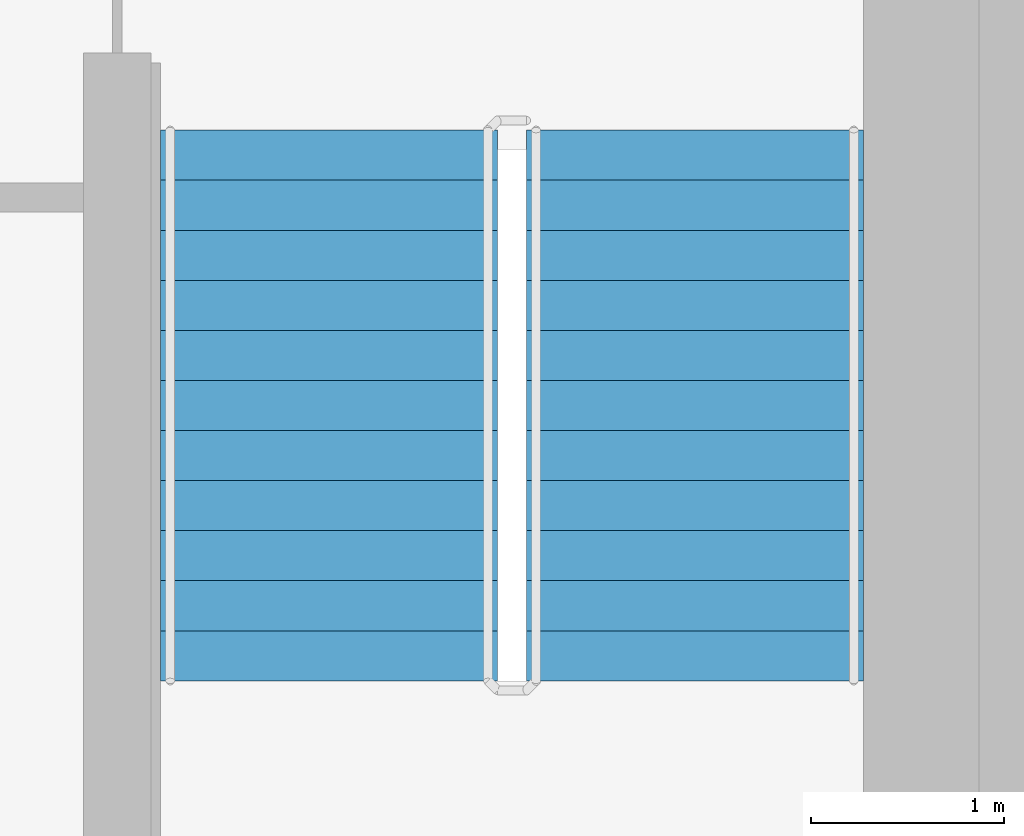
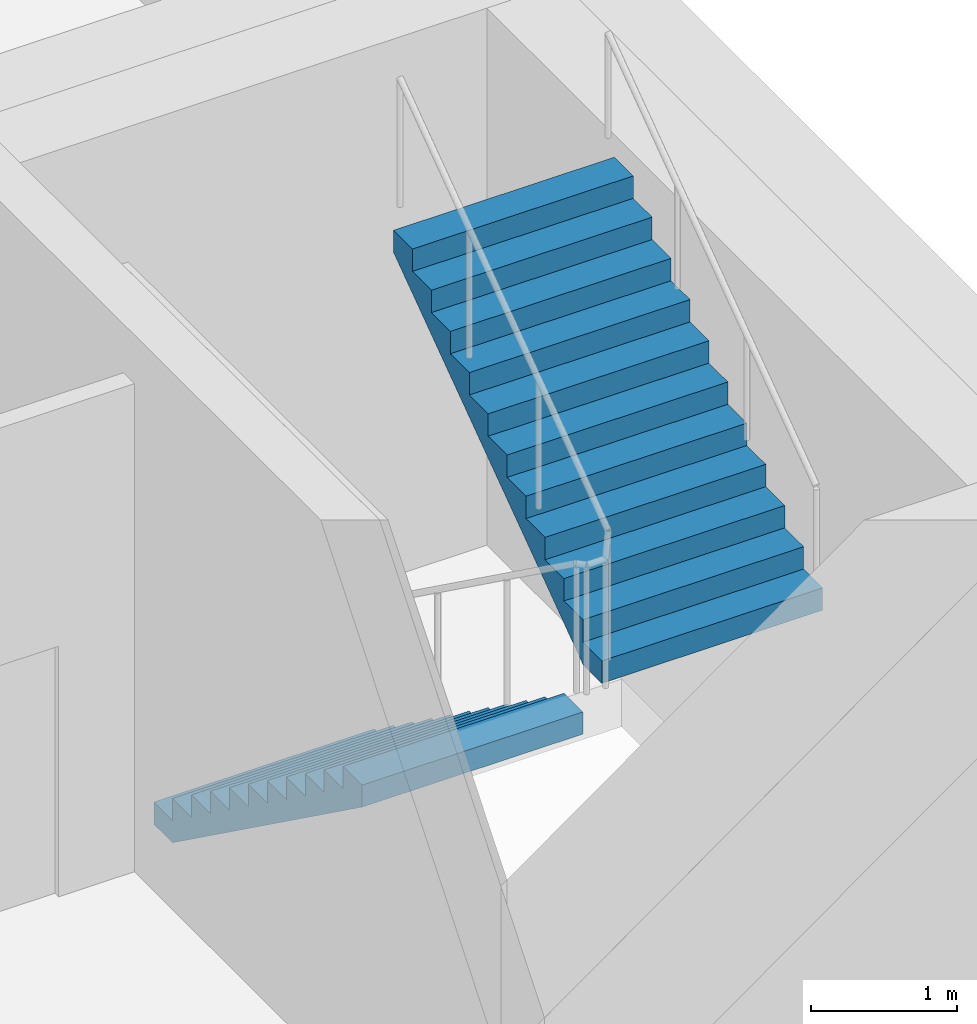
# One storey, part 10 of 12: 2 stair flights, 1 element without a shape of its own.
"""IFC4 building model written with IfcOpenShell, lengths in metres."""

from ifc_helpers import new_model, si_unit, direction, frame, origin, place, context, subcontext, project, spatial, faceted_brep, material, type_object, element, aggregate, save


model = new_model("IFC4")

# Units and contexts
model_context = context("Model", 3, precision=1e-05, world=origin(), true_north=direction((0.0, 1.0)))
body_context = subcontext(model_context, "Body", "Model", "MODEL_VIEW")
ifc_project = project(units=[si_unit("LENGTHUNIT", "METRE"), si_unit("AREAUNIT", "SQUARE_METRE"), si_unit("VOLUMEUNIT", "CUBIC_METRE"), si_unit("PLANEANGLEUNIT", "RADIAN"), si_unit("MASSUNIT", "GRAM", prefix="KILO")], contexts=[model_context])

# Site, building, storey
site_placement = place(None, origin())
site = spatial("IfcSite", under=ifc_project, at=site_placement, CompositionType="ELEMENT")
building_placement = place(site_placement, origin())
building = spatial("IfcBuilding", under=site, at=building_placement, Name="Ipe Terrace Towers", CompositionType="ELEMENT")
storey_placement = place(building_placement, frame((0.0, 0.0, 260.39990234375)))
storey = spatial("IfcBuildingStorey", under=building, at=storey_placement, Name="L71", CompositionType="ELEMENT", Elevation=260.39990234375)

# Stair, stair flights
ifc_material_1 = material(Name="Concrete C30/37", Category="concrete")
stair_type = type_object("IfcStairType", Name="Protected exit stair", PredefinedType="HALF_TURN_STAIR", material=ifc_material_1)
stair_placement = place(storey_placement, origin())
stair = element("IfcStair", 1, at=stair_placement, inside=storey, type_object=stair_type, Name="L71 Exit stair T2-C2", PredefinedType="HALF_TURN_STAIR")
ifc_material_2 = material(Name="Concrete C30/37", Category="concrete")
stair_flight_type = type_object("IfcStairFlightType", Name="Exit stair flight 1750", PredefinedType="STRAIGHT", material=ifc_material_2)
stair_flight_1_placement = place(storey_placement, frame((38.77490234375, -9.699951171875, 0.0), z_axis=(0.0, 0.0, 1.0), x_axis=(0.0, -1.0, 0.0)))
stair_flight_1 = element("IfcStairFlight", 2, at=stair_flight_1_placement, type_object=stair_flight_type, Name="T2-ST2 flight 1", NumberOfRisers=12, NumberOfTreads=11, PredefinedType="STRAIGHT", RiserHeight=0.1875, TreadLength=0.26, context=body_context, shape_type="Brep", body=[
    faceted_brep([(0.25634765625, -0.875, 0.0), (2.860107421875, -0.875, 1.877685546875), (2.860107421875, -0.875, 2.0625), (2.60009765625, -0.875, 2.0625), (2.60009765625, -0.875, 1.875), (2.340087890625, -0.875, 1.875), (2.340087890625, -0.875, 1.6875), (2.080078125, -0.875, 1.6875), (2.080078125, -0.875, 1.5), (1.820068359375, -0.875, 1.5), (1.820068359375, -0.875, 1.3125), (1.56005859375, -0.875, 1.3125), (1.56005859375, -0.875, 1.125), (1.300048828125, -0.875, 1.125), (1.300048828125, -0.875, 0.9375), (1.0400390625, -0.875, 0.9375), (1.0400390625, -0.875, 0.75), (0.780029296875, -0.875, 0.75), (0.780029296875, -0.875, 0.5625), (0.52001953125, -0.875, 0.5625), (0.52001953125, -0.875, 0.375), (0.260009765625, -0.875, 0.375), (0.260009765625, -0.875, 0.1875), (0.0, -0.875, 0.1875), (0.0, -0.875, 0.0), (0.0, 0.875, 0.0), (0.0, 0.875, 0.1875), (0.260009765625, 0.875, 0.1875), (0.260009765625, 0.875, 0.375), (0.52001953125, 0.875, 0.375), (0.52001953125, 0.875, 0.5625), (0.780029296875, 0.875, 0.5625), (0.780029296875, 0.875, 0.75), (1.0400390625, 0.875, 0.75), (1.0400390625, 0.875, 0.9375), (1.300048828125, 0.875, 0.9375), (1.300048828125, 0.875, 1.125), (1.56005859375, 0.875, 1.125), (1.56005859375, 0.875, 1.3125), (1.820068359375, 0.875, 1.3125), (1.820068359375, 0.875, 1.5), (2.080078125, 0.875, 1.5), (2.080078125, 0.875, 1.6875), (2.340087890625, 0.875, 1.6875), (2.340087890625, 0.875, 1.875), (2.60009765625, 0.875, 1.875), (2.60009765625, 0.875, 2.0625), (2.860107421875, 0.875, 2.0625), (2.860107421875, 0.875, 1.877685546875), (0.25634765625, 0.875, 0.0), (0.0, -0.300048828125, 0.1875), (0.0, -0.1201171875, 0.1875), (0.0, -0.06005859375, 0.1875), (0.0, -0.030029296875, 0.1875), (0.0, -0.010009765625, 0.1875), (0.0, 0.0, 0.1875), (0.0, 0.010009765625, 0.1875), (0.0, 0.030029296875, 0.1875), (0.0, 0.06005859375, 0.1875), (0.0, 0.1201171875, 0.1875), (0.0, 0.300048828125, 0.1875), (0.0, 0.300048828125, 0.0), (0.0, 0.1201171875, 0.0), (0.0, 0.06005859375, 0.0), (0.0, 0.030029296875, 0.0), (0.0, 0.010009765625, 0.0), (0.0, 0.0, 0.0), (0.0, -0.010009765625, 0.0), (0.0, -0.030029296875, 0.0), (0.0, -0.06005859375, 0.0), (0.0, -0.1201171875, 0.0), (0.0, -0.300048828125, 0.0), (0.260009765625, -0.300048828125, 0.1875), (0.260009765625, -0.1201171875, 0.1875), (0.260009765625, -0.06005859375, 0.1875), (0.260009765625, -0.030029296875, 0.1875), (0.260009765625, -0.010009765625, 0.1875), (0.260009765625, 0.0, 0.1875), (0.260009765625, 0.010009765625, 0.1875), (0.260009765625, 0.030029296875, 0.1875), (0.260009765625, 0.06005859375, 0.1875), (0.260009765625, 0.1201171875, 0.1875), (0.260009765625, 0.300048828125, 0.1875), (0.260009765625, -0.300048828125, 0.375), (0.260009765625, -0.1201171875, 0.375), (0.260009765625, -0.06005859375, 0.375), (0.260009765625, -0.030029296875, 0.375), (0.260009765625, -0.010009765625, 0.375), (0.260009765625, 0.0, 0.375), (0.260009765625, 0.010009765625, 0.375), (0.260009765625, 0.030029296875, 0.375), (0.260009765625, 0.06005859375, 0.375), (0.260009765625, 0.1201171875, 0.375), (0.260009765625, 0.300048828125, 0.375), (0.52001953125, -0.300048828125, 0.375), (0.52001953125, -0.1201171875, 0.375), (0.52001953125, -0.06005859375, 0.375), (0.52001953125, -0.030029296875, 0.375), (0.52001953125, -0.010009765625, 0.375), (0.52001953125, 0.0, 0.375), (0.52001953125, 0.010009765625, 0.375), (0.52001953125, 0.030029296875, 0.375), (0.52001953125, 0.06005859375, 0.375), (0.52001953125, 0.1201171875, 0.375), (0.52001953125, 0.300048828125, 0.375), (0.52001953125, -0.300048828125, 0.5625), (0.52001953125, -0.1201171875, 0.5625), (0.52001953125, -0.06005859375, 0.5625), (0.52001953125, -0.030029296875, 0.5625), (0.52001953125, -0.010009765625, 0.5625), (0.52001953125, 0.0, 0.5625), (0.52001953125, 0.010009765625, 0.5625), (0.52001953125, 0.030029296875, 0.5625), (0.52001953125, 0.06005859375, 0.5625), (0.52001953125, 0.1201171875, 0.5625), (0.52001953125, 0.300048828125, 0.5625), (0.780029296875, -0.300048828125, 0.5625), (0.780029296875, -0.1201171875, 0.5625), (0.780029296875, -0.06005859375, 0.5625), (0.780029296875, -0.030029296875, 0.5625), (0.780029296875, -0.010009765625, 0.5625), (0.780029296875, 0.0, 0.5625), (0.780029296875, 0.010009765625, 0.5625), (0.780029296875, 0.030029296875, 0.5625), (0.780029296875, 0.06005859375, 0.5625), (0.780029296875, 0.1201171875, 0.5625), (0.780029296875, 0.300048828125, 0.5625), (0.780029296875, -0.300048828125, 0.75), (0.780029296875, -0.1201171875, 0.75), (0.780029296875, -0.06005859375, 0.75), (0.780029296875, -0.030029296875, 0.75), (0.780029296875, -0.010009765625, 0.75), (0.780029296875, 0.0, 0.75), (0.780029296875, 0.010009765625, 0.75), (0.780029296875, 0.030029296875, 0.75), (0.780029296875, 0.06005859375, 0.75), (0.780029296875, 0.1201171875, 0.75), (0.780029296875, 0.300048828125, 0.75), (1.0400390625, -0.300048828125, 0.75), (1.0400390625, -0.1201171875, 0.75), (1.0400390625, -0.06005859375, 0.75), (1.0400390625, -0.030029296875, 0.75), (1.0400390625, -0.010009765625, 0.75), (1.0400390625, 0.0, 0.75), (1.0400390625, 0.010009765625, 0.75), (1.0400390625, 0.030029296875, 0.75), (1.0400390625, 0.06005859375, 0.75), (1.0400390625, 0.1201171875, 0.75), (1.0400390625, 0.300048828125, 0.75), (1.0400390625, -0.300048828125, 0.9375), (1.0400390625, -0.1201171875, 0.9375), (1.0400390625, -0.06005859375, 0.9375), (1.0400390625, -0.030029296875, 0.9375), (1.0400390625, -0.010009765625, 0.9375), (1.0400390625, 0.0, 0.9375), (1.0400390625, 0.010009765625, 0.9375), (1.0400390625, 0.030029296875, 0.9375), (1.0400390625, 0.06005859375, 0.9375), (1.0400390625, 0.1201171875, 0.9375), (1.0400390625, 0.300048828125, 0.9375), (1.300048828125, -0.300048828125, 0.9375), (1.300048828125, -0.1201171875, 0.9375), (1.300048828125, -0.06005859375, 0.9375), (1.300048828125, -0.030029296875, 0.9375), (1.300048828125, -0.010009765625, 0.9375), (1.300048828125, 0.0, 0.9375), (1.300048828125, 0.010009765625, 0.9375), (1.300048828125, 0.030029296875, 0.9375), (1.300048828125, 0.06005859375, 0.9375), (1.300048828125, 0.1201171875, 0.9375), (1.300048828125, 0.300048828125, 0.9375), (1.300048828125, -0.300048828125, 1.125), (1.300048828125, -0.1201171875, 1.125), (1.300048828125, -0.06005859375, 1.125), (1.300048828125, -0.030029296875, 1.125), (1.300048828125, -0.010009765625, 1.125), (1.300048828125, 0.0, 1.125), (1.300048828125, 0.010009765625, 1.125), (1.300048828125, 0.030029296875, 1.125), (1.300048828125, 0.06005859375, 1.125), (1.300048828125, 0.1201171875, 1.125), (1.300048828125, 0.300048828125, 1.125), (1.56005859375, -0.300048828125, 1.125), (1.56005859375, -0.1201171875, 1.125), (1.56005859375, -0.06005859375, 1.125), (1.56005859375, -0.030029296875, 1.125), (1.56005859375, -0.010009765625, 1.125), (1.56005859375, 0.0, 1.125), (1.56005859375, 0.010009765625, 1.125), (1.56005859375, 0.030029296875, 1.125), (1.56005859375, 0.06005859375, 1.125), (1.56005859375, 0.1201171875, 1.125), (1.56005859375, 0.300048828125, 1.125), (1.56005859375, -0.300048828125, 1.3125), (1.56005859375, -0.1201171875, 1.3125), (1.56005859375, -0.06005859375, 1.3125), (1.56005859375, -0.030029296875, 1.3125), (1.56005859375, -0.010009765625, 1.3125), (1.56005859375, 0.0, 1.3125), (1.56005859375, 0.010009765625, 1.3125), (1.56005859375, 0.030029296875, 1.3125), (1.56005859375, 0.06005859375, 1.3125), (1.56005859375, 0.1201171875, 1.3125), (1.56005859375, 0.300048828125, 1.3125), (1.820068359375, -0.300048828125, 1.3125), (1.820068359375, -0.1201171875, 1.3125), (1.820068359375, -0.06005859375, 1.3125), (1.820068359375, -0.030029296875, 1.3125), (1.820068359375, -0.010009765625, 1.3125), (1.820068359375, 0.0, 1.3125), (1.820068359375, 0.010009765625, 1.3125), (1.820068359375, 0.030029296875, 1.3125), (1.820068359375, 0.06005859375, 1.3125), (1.820068359375, 0.1201171875, 1.3125), (1.820068359375, 0.300048828125, 1.3125), (1.820068359375, -0.300048828125, 1.5), (1.820068359375, -0.1201171875, 1.5), (1.820068359375, -0.06005859375, 1.5), (1.820068359375, -0.030029296875, 1.5), (1.820068359375, -0.010009765625, 1.5), (1.820068359375, 0.0, 1.5), (1.820068359375, 0.010009765625, 1.5), (1.820068359375, 0.030029296875, 1.5), (1.820068359375, 0.06005859375, 1.5), (1.820068359375, 0.1201171875, 1.5), (1.820068359375, 0.300048828125, 1.5), (2.080078125, -0.300048828125, 1.5), (2.080078125, -0.1201171875, 1.5), (2.080078125, -0.06005859375, 1.5), (2.080078125, -0.030029296875, 1.5), (2.080078125, -0.010009765625, 1.5), (2.080078125, 0.0, 1.5), (2.080078125, 0.010009765625, 1.5), (2.080078125, 0.030029296875, 1.5), (2.080078125, 0.06005859375, 1.5), (2.080078125, 0.1201171875, 1.5), (2.080078125, 0.300048828125, 1.5), (2.080078125, -0.300048828125, 1.6875), (2.080078125, -0.1201171875, 1.6875), (2.080078125, -0.06005859375, 1.6875), (2.080078125, -0.030029296875, 1.6875), (2.080078125, -0.010009765625, 1.6875), (2.080078125, 0.0, 1.6875), (2.080078125, 0.010009765625, 1.6875), (2.080078125, 0.030029296875, 1.6875), (2.080078125, 0.06005859375, 1.6875), (2.080078125, 0.1201171875, 1.6875), (2.080078125, 0.300048828125, 1.6875), (2.340087890625, -0.300048828125, 1.6875), (2.340087890625, -0.1201171875, 1.6875), (2.340087890625, -0.06005859375, 1.6875), (2.340087890625, -0.030029296875, 1.6875), (2.340087890625, -0.010009765625, 1.6875), (2.340087890625, 0.0, 1.6875), (2.340087890625, 0.010009765625, 1.6875), (2.340087890625, 0.030029296875, 1.6875), (2.340087890625, 0.06005859375, 1.6875), (2.340087890625, 0.1201171875, 1.6875), (2.340087890625, 0.300048828125, 1.6875), (2.340087890625, -0.300048828125, 1.875), (2.340087890625, -0.1201171875, 1.875), (2.340087890625, -0.06005859375, 1.875), (2.340087890625, -0.030029296875, 1.875), (2.340087890625, -0.010009765625, 1.875), (2.340087890625, 0.0, 1.875), (2.340087890625, 0.010009765625, 1.875), (2.340087890625, 0.030029296875, 1.875), (2.340087890625, 0.06005859375, 1.875), (2.340087890625, 0.1201171875, 1.875), (2.340087890625, 0.300048828125, 1.875), (2.60009765625, -0.300048828125, 1.875), (2.60009765625, -0.1201171875, 1.875), (2.60009765625, -0.06005859375, 1.875), (2.60009765625, -0.030029296875, 1.875), (2.60009765625, -0.010009765625, 1.875), (2.60009765625, 0.0, 1.875), (2.60009765625, 0.010009765625, 1.875), (2.60009765625, 0.030029296875, 1.875), (2.60009765625, 0.06005859375, 1.875), (2.60009765625, 0.1201171875, 1.875), (2.60009765625, 0.300048828125, 1.875), (2.60009765625, -0.300048828125, 2.0625), (2.60009765625, -0.1201171875, 2.0625), (2.60009765625, -0.06005859375, 2.0625), (2.60009765625, -0.030029296875, 2.0625), (2.60009765625, -0.010009765625, 2.0625), (2.60009765625, 0.0, 2.0625), (2.60009765625, 0.010009765625, 2.0625), (2.60009765625, 0.030029296875, 2.0625), (2.60009765625, 0.06005859375, 2.0625), (2.60009765625, 0.1201171875, 2.0625), (2.60009765625, 0.300048828125, 2.0625), (2.860107421875, -0.300048828125, 2.0625), (2.860107421875, -0.1201171875, 2.0625), (2.860107421875, -0.06005859375, 2.0625), (2.860107421875, -0.030029296875, 2.0625), (2.860107421875, -0.010009765625, 2.0625), (2.860107421875, 0.0, 2.0625), (2.860107421875, 0.010009765625, 2.0625), (2.860107421875, 0.030029296875, 2.0625), (2.860107421875, 0.06005859375, 2.0625), (2.860107421875, 0.1201171875, 2.0625), (2.860107421875, 0.300048828125, 2.0625), (2.860107421875, -0.300048828125, 1.877685546875), (2.860107421875, -0.1201171875, 1.877685546875), (2.860107421875, -0.06005859375, 1.877685546875), (2.860107421875, -0.030029296875, 1.877685546875), (2.860107421875, -0.010009765625, 1.877685546875), (2.860107421875, 0.0, 1.877685546875), (2.860107421875, 0.010009765625, 1.877685546875), (2.860107421875, 0.030029296875, 1.877685546875), (2.860107421875, 0.06005859375, 1.877685546875), (2.860107421875, 0.1201171875, 1.877685546875), (2.860107421875, 0.300048828125, 1.877685546875), (0.25634765625, -0.300048828125, 0.0), (0.25634765625, -0.1201171875, 0.0), (0.25634765625, -0.06005859375, 0.0), (0.25634765625, -0.030029296875, 0.0), (0.25634765625, -0.010009765625, 0.0), (0.25634765625, 0.0, 0.0), (0.25634765625, 0.010009765625, 0.0), (0.25634765625, 0.030029296875, 0.0), (0.25634765625, 0.06005859375, 0.0), (0.25634765625, 0.1201171875, 0.0), (0.25634765625, 0.300048828125, 0.0)], [[[0, 1, 2, 3, 4, 5, 6, 7, 8, 9, 10, 11, 12, 13, 14, 15, 16, 17, 18, 19, 20, 21, 22, 23, 24]], [[25, 26, 27, 28, 29, 30, 31, 32, 33, 34, 35, 36, 37, 38, 39, 40, 41, 42, 43, 44, 45, 46, 47, 48, 49]], [[23, 50, 51, 52, 53, 54, 55, 56, 57, 58, 59, 60, 26, 25, 61, 62, 63, 64, 65, 66, 67, 68, 69, 70, 71, 24]], [[22, 72, 73, 74, 75, 76, 77, 78, 79, 80, 81, 82, 27, 26, 60, 59, 58, 57, 56, 55, 54, 53, 52, 51, 50, 23]], [[21, 83, 84, 85, 86, 87, 88, 89, 90, 91, 92, 93, 28, 27, 82, 81, 80, 79, 78, 77, 76, 75, 74, 73, 72, 22]], [[20, 94, 95, 96, 97, 98, 99, 100, 101, 102, 103, 104, 29, 28, 93, 92, 91, 90, 89, 88, 87, 86, 85, 84, 83, 21]], [[19, 105, 106, 107, 108, 109, 110, 111, 112, 113, 114, 115, 30, 29, 104, 103, 102, 101, 100, 99, 98, 97, 96, 95, 94, 20]], [[18, 116, 117, 118, 119, 120, 121, 122, 123, 124, 125, 126, 31, 30, 115, 114, 113, 112, 111, 110, 109, 108, 107, 106, 105, 19]], [[17, 127, 128, 129, 130, 131, 132, 133, 134, 135, 136, 137, 32, 31, 126, 125, 124, 123, 122, 121, 120, 119, 118, 117, 116, 18]], [[16, 138, 139, 140, 141, 142, 143, 144, 145, 146, 147, 148, 33, 32, 137, 136, 135, 134, 133, 132, 131, 130, 129, 128, 127, 17]], [[15, 149, 150, 151, 152, 153, 154, 155, 156, 157, 158, 159, 34, 33, 148, 147, 146, 145, 144, 143, 142, 141, 140, 139, 138, 16]], [[14, 160, 161, 162, 163, 164, 165, 166, 167, 168, 169, 170, 35, 34, 159, 158, 157, 156, 155, 154, 153, 152, 151, 150, 149, 15]], [[13, 171, 172, 173, 174, 175, 176, 177, 178, 179, 180, 181, 36, 35, 170, 169, 168, 167, 166, 165, 164, 163, 162, 161, 160, 14]], [[12, 182, 183, 184, 185, 186, 187, 188, 189, 190, 191, 192, 37, 36, 181, 180, 179, 178, 177, 176, 175, 174, 173, 172, 171, 13]], [[11, 193, 194, 195, 196, 197, 198, 199, 200, 201, 202, 203, 38, 37, 192, 191, 190, 189, 188, 187, 186, 185, 184, 183, 182, 12]], [[10, 204, 205, 206, 207, 208, 209, 210, 211, 212, 213, 214, 39, 38, 203, 202, 201, 200, 199, 198, 197, 196, 195, 194, 193, 11]], [[9, 215, 216, 217, 218, 219, 220, 221, 222, 223, 224, 225, 40, 39, 214, 213, 212, 211, 210, 209, 208, 207, 206, 205, 204, 10]], [[8, 226, 227, 228, 229, 230, 231, 232, 233, 234, 235, 236, 41, 40, 225, 224, 223, 222, 221, 220, 219, 218, 217, 216, 215, 9]], [[7, 237, 238, 239, 240, 241, 242, 243, 244, 245, 246, 247, 42, 41, 236, 235, 234, 233, 232, 231, 230, 229, 228, 227, 226, 8]], [[6, 248, 249, 250, 251, 252, 253, 254, 255, 256, 257, 258, 43, 42, 247, 246, 245, 244, 243, 242, 241, 240, 239, 238, 237, 7]], [[5, 259, 260, 261, 262, 263, 264, 265, 266, 267, 268, 269, 44, 43, 258, 257, 256, 255, 254, 253, 252, 251, 250, 249, 248, 6]], [[4, 270, 271, 272, 273, 274, 275, 276, 277, 278, 279, 280, 45, 44, 269, 268, 267, 266, 265, 264, 263, 262, 261, 260, 259, 5]], [[3, 281, 282, 283, 284, 285, 286, 287, 288, 289, 290, 291, 46, 45, 280, 279, 278, 277, 276, 275, 274, 273, 272, 271, 270, 4]], [[2, 292, 293, 294, 295, 296, 297, 298, 299, 300, 301, 302, 47, 46, 291, 290, 289, 288, 287, 286, 285, 284, 283, 282, 281, 3]], [[1, 303, 304, 305, 306, 307, 308, 309, 310, 311, 312, 313, 48, 47, 302, 301, 300, 299, 298, 297, 296, 295, 294, 293, 292, 2]], [[0, 314, 315, 316, 317, 318, 319, 320, 321, 322, 323, 324, 49, 48, 313, 312, 311, 310, 309, 308, 307, 306, 305, 304, 303, 1]], [[24, 71, 70, 69, 68, 67, 66, 65, 64, 63, 62, 61, 25, 49, 324, 323, 322, 321, 320, 319, 318, 317, 316, 315, 314, 0]]]),
])
stair_flight_2_placement = place(storey_placement, frame((40.675048828125, -12.56005859375, 2.25), z_axis=(0.0, 0.0, 1.0), x_axis=(0.0, 1.0, 0.0)))
stair_flight_2 = element("IfcStairFlight", 3, at=stair_flight_2_placement, type_object=stair_flight_type, Name="T2-ST2 flight 2", NumberOfRisers=12, NumberOfTreads=11, PredefinedType="STRAIGHT", RiserHeight=0.1875, TreadLength=0.26, context=body_context, shape_type="Brep", body=[
    faceted_brep([(0.25634765625, -0.875, 0.0), (2.860107421875, -0.875, 1.877685546875), (2.860107421875, -0.875, 2.0625), (2.60009765625, -0.875, 2.0625), (2.60009765625, -0.875, 1.875), (2.340087890625, -0.875, 1.875), (2.340087890625, -0.875, 1.6875), (2.080078125, -0.875, 1.6875), (2.080078125, -0.875, 1.5), (1.820068359375, -0.875, 1.5), (1.820068359375, -0.875, 1.3125), (1.56005859375, -0.875, 1.3125), (1.56005859375, -0.875, 1.125), (1.300048828125, -0.875, 1.125), (1.300048828125, -0.875, 0.9375), (1.0400390625, -0.875, 0.9375), (1.0400390625, -0.875, 0.75), (0.780029296875, -0.875, 0.75), (0.780029296875, -0.875, 0.5625), (0.52001953125, -0.875, 0.5625), (0.52001953125, -0.875, 0.375), (0.260009765625, -0.875, 0.375), (0.260009765625, -0.875, 0.1875), (0.0, -0.875, 0.1875), (0.0, -0.875, 0.0), (0.0, 0.875, 0.0), (0.0, 0.875, 0.1875), (0.260009765625, 0.875, 0.1875), (0.260009765625, 0.875, 0.375), (0.52001953125, 0.875, 0.375), (0.52001953125, 0.875, 0.5625), (0.780029296875, 0.875, 0.5625), (0.780029296875, 0.875, 0.75), (1.0400390625, 0.875, 0.75), (1.0400390625, 0.875, 0.9375), (1.300048828125, 0.875, 0.9375), (1.300048828125, 0.875, 1.125), (1.56005859375, 0.875, 1.125), (1.56005859375, 0.875, 1.3125), (1.820068359375, 0.875, 1.3125), (1.820068359375, 0.875, 1.5), (2.080078125, 0.875, 1.5), (2.080078125, 0.875, 1.6875), (2.340087890625, 0.875, 1.6875), (2.340087890625, 0.875, 1.875), (2.60009765625, 0.875, 1.875), (2.60009765625, 0.875, 2.0625), (2.860107421875, 0.875, 2.0625), (2.860107421875, 0.875, 1.877685546875), (0.25634765625, 0.875, 0.0), (0.0, -0.300048828125, 0.1875), (0.0, -0.1201171875, 0.1875), (0.0, -0.06005859375, 0.1875), (0.0, -0.030029296875, 0.1875), (0.0, -0.010009765625, 0.1875), (0.0, 0.0, 0.1875), (0.0, 0.010009765625, 0.1875), (0.0, 0.030029296875, 0.1875), (0.0, 0.06005859375, 0.1875), (0.0, 0.1201171875, 0.1875), (0.0, 0.300048828125, 0.1875), (0.0, 0.300048828125, 0.0), (0.0, 0.1201171875, 0.0), (0.0, 0.06005859375, 0.0), (0.0, 0.030029296875, 0.0), (0.0, 0.010009765625, 0.0), (0.0, 0.0, 0.0), (0.0, -0.010009765625, 0.0), (0.0, -0.030029296875, 0.0), (0.0, -0.06005859375, 0.0), (0.0, -0.1201171875, 0.0), (0.0, -0.300048828125, 0.0), (0.260009765625, -0.300048828125, 0.1875), (0.260009765625, -0.1201171875, 0.1875), (0.260009765625, -0.06005859375, 0.1875), (0.260009765625, -0.030029296875, 0.1875), (0.260009765625, -0.010009765625, 0.1875), (0.260009765625, 0.0, 0.1875), (0.260009765625, 0.010009765625, 0.1875), (0.260009765625, 0.030029296875, 0.1875), (0.260009765625, 0.06005859375, 0.1875), (0.260009765625, 0.1201171875, 0.1875), (0.260009765625, 0.300048828125, 0.1875), (0.260009765625, -0.300048828125, 0.375), (0.260009765625, -0.1201171875, 0.375), (0.260009765625, -0.06005859375, 0.375), (0.260009765625, -0.030029296875, 0.375), (0.260009765625, -0.010009765625, 0.375), (0.260009765625, 0.0, 0.375), (0.260009765625, 0.010009765625, 0.375), (0.260009765625, 0.030029296875, 0.375), (0.260009765625, 0.06005859375, 0.375), (0.260009765625, 0.1201171875, 0.375), (0.260009765625, 0.300048828125, 0.375), (0.52001953125, -0.300048828125, 0.375), (0.52001953125, -0.1201171875, 0.375), (0.52001953125, -0.06005859375, 0.375), (0.52001953125, -0.030029296875, 0.375), (0.52001953125, -0.010009765625, 0.375), (0.52001953125, 0.0, 0.375), (0.52001953125, 0.010009765625, 0.375), (0.52001953125, 0.030029296875, 0.375), (0.52001953125, 0.06005859375, 0.375), (0.52001953125, 0.1201171875, 0.375), (0.52001953125, 0.300048828125, 0.375), (0.52001953125, -0.300048828125, 0.5625), (0.52001953125, -0.1201171875, 0.5625), (0.52001953125, -0.06005859375, 0.5625), (0.52001953125, -0.030029296875, 0.5625), (0.52001953125, -0.010009765625, 0.5625), (0.52001953125, 0.0, 0.5625), (0.52001953125, 0.010009765625, 0.5625), (0.52001953125, 0.030029296875, 0.5625), (0.52001953125, 0.06005859375, 0.5625), (0.52001953125, 0.1201171875, 0.5625), (0.52001953125, 0.300048828125, 0.5625), (0.780029296875, -0.300048828125, 0.5625), (0.780029296875, -0.1201171875, 0.5625), (0.780029296875, -0.06005859375, 0.5625), (0.780029296875, -0.030029296875, 0.5625), (0.780029296875, -0.010009765625, 0.5625), (0.780029296875, 0.0, 0.5625), (0.780029296875, 0.010009765625, 0.5625), (0.780029296875, 0.030029296875, 0.5625), (0.780029296875, 0.06005859375, 0.5625), (0.780029296875, 0.1201171875, 0.5625), (0.780029296875, 0.300048828125, 0.5625), (0.780029296875, -0.300048828125, 0.75), (0.780029296875, -0.1201171875, 0.75), (0.780029296875, -0.06005859375, 0.75), (0.780029296875, -0.030029296875, 0.75), (0.780029296875, -0.010009765625, 0.75), (0.780029296875, 0.0, 0.75), (0.780029296875, 0.010009765625, 0.75), (0.780029296875, 0.030029296875, 0.75), (0.780029296875, 0.06005859375, 0.75), (0.780029296875, 0.1201171875, 0.75), (0.780029296875, 0.300048828125, 0.75), (1.0400390625, -0.300048828125, 0.75), (1.0400390625, -0.1201171875, 0.75), (1.0400390625, -0.06005859375, 0.75), (1.0400390625, -0.030029296875, 0.75), (1.0400390625, -0.010009765625, 0.75), (1.0400390625, 0.0, 0.75), (1.0400390625, 0.010009765625, 0.75), (1.0400390625, 0.030029296875, 0.75), (1.0400390625, 0.06005859375, 0.75), (1.0400390625, 0.1201171875, 0.75), (1.0400390625, 0.300048828125, 0.75), (1.0400390625, -0.300048828125, 0.9375), (1.0400390625, -0.1201171875, 0.9375), (1.0400390625, -0.06005859375, 0.9375), (1.0400390625, -0.030029296875, 0.9375), (1.0400390625, -0.010009765625, 0.9375), (1.0400390625, 0.0, 0.9375), (1.0400390625, 0.010009765625, 0.9375), (1.0400390625, 0.030029296875, 0.9375), (1.0400390625, 0.06005859375, 0.9375), (1.0400390625, 0.1201171875, 0.9375), (1.0400390625, 0.300048828125, 0.9375), (1.300048828125, -0.300048828125, 0.9375), (1.300048828125, -0.1201171875, 0.9375), (1.300048828125, -0.06005859375, 0.9375), (1.300048828125, -0.030029296875, 0.9375), (1.300048828125, -0.010009765625, 0.9375), (1.300048828125, 0.0, 0.9375), (1.300048828125, 0.010009765625, 0.9375), (1.300048828125, 0.030029296875, 0.9375), (1.300048828125, 0.06005859375, 0.9375), (1.300048828125, 0.1201171875, 0.9375), (1.300048828125, 0.300048828125, 0.9375), (1.300048828125, -0.300048828125, 1.125), (1.300048828125, -0.1201171875, 1.125), (1.300048828125, -0.06005859375, 1.125), (1.300048828125, -0.030029296875, 1.125), (1.300048828125, -0.010009765625, 1.125), (1.300048828125, 0.0, 1.125), (1.300048828125, 0.010009765625, 1.125), (1.300048828125, 0.030029296875, 1.125), (1.300048828125, 0.06005859375, 1.125), (1.300048828125, 0.1201171875, 1.125), (1.300048828125, 0.300048828125, 1.125), (1.56005859375, -0.300048828125, 1.125), (1.56005859375, -0.1201171875, 1.125), (1.56005859375, -0.06005859375, 1.125), (1.56005859375, -0.030029296875, 1.125), (1.56005859375, -0.010009765625, 1.125), (1.56005859375, 0.0, 1.125), (1.56005859375, 0.010009765625, 1.125), (1.56005859375, 0.030029296875, 1.125), (1.56005859375, 0.06005859375, 1.125), (1.56005859375, 0.1201171875, 1.125), (1.56005859375, 0.300048828125, 1.125), (1.56005859375, -0.300048828125, 1.3125), (1.56005859375, -0.1201171875, 1.3125), (1.56005859375, -0.06005859375, 1.3125), (1.56005859375, -0.030029296875, 1.3125), (1.56005859375, -0.010009765625, 1.3125), (1.56005859375, 0.0, 1.3125), (1.56005859375, 0.010009765625, 1.3125), (1.56005859375, 0.030029296875, 1.3125), (1.56005859375, 0.06005859375, 1.3125), (1.56005859375, 0.1201171875, 1.3125), (1.56005859375, 0.300048828125, 1.3125), (1.820068359375, -0.300048828125, 1.3125), (1.820068359375, -0.1201171875, 1.3125), (1.820068359375, -0.06005859375, 1.3125), (1.820068359375, -0.030029296875, 1.3125), (1.820068359375, -0.010009765625, 1.3125), (1.820068359375, 0.0, 1.3125), (1.820068359375, 0.010009765625, 1.3125), (1.820068359375, 0.030029296875, 1.3125), (1.820068359375, 0.06005859375, 1.3125), (1.820068359375, 0.1201171875, 1.3125), (1.820068359375, 0.300048828125, 1.3125), (1.820068359375, -0.300048828125, 1.5), (1.820068359375, -0.1201171875, 1.5), (1.820068359375, -0.06005859375, 1.5), (1.820068359375, -0.030029296875, 1.5), (1.820068359375, -0.010009765625, 1.5), (1.820068359375, 0.0, 1.5), (1.820068359375, 0.010009765625, 1.5), (1.820068359375, 0.030029296875, 1.5), (1.820068359375, 0.06005859375, 1.5), (1.820068359375, 0.1201171875, 1.5), (1.820068359375, 0.300048828125, 1.5), (2.080078125, -0.300048828125, 1.5), (2.080078125, -0.1201171875, 1.5), (2.080078125, -0.06005859375, 1.5), (2.080078125, -0.030029296875, 1.5), (2.080078125, -0.010009765625, 1.5), (2.080078125, 0.0, 1.5), (2.080078125, 0.010009765625, 1.5), (2.080078125, 0.030029296875, 1.5), (2.080078125, 0.06005859375, 1.5), (2.080078125, 0.1201171875, 1.5), (2.080078125, 0.300048828125, 1.5), (2.080078125, -0.300048828125, 1.6875), (2.080078125, -0.1201171875, 1.6875), (2.080078125, -0.06005859375, 1.6875), (2.080078125, -0.030029296875, 1.6875), (2.080078125, -0.010009765625, 1.6875), (2.080078125, 0.0, 1.6875), (2.080078125, 0.010009765625, 1.6875), (2.080078125, 0.030029296875, 1.6875), (2.080078125, 0.06005859375, 1.6875), (2.080078125, 0.1201171875, 1.6875), (2.080078125, 0.300048828125, 1.6875), (2.340087890625, -0.300048828125, 1.6875), (2.340087890625, -0.1201171875, 1.6875), (2.340087890625, -0.06005859375, 1.6875), (2.340087890625, -0.030029296875, 1.6875), (2.340087890625, -0.010009765625, 1.6875), (2.340087890625, 0.0, 1.6875), (2.340087890625, 0.010009765625, 1.6875), (2.340087890625, 0.030029296875, 1.6875), (2.340087890625, 0.06005859375, 1.6875), (2.340087890625, 0.1201171875, 1.6875), (2.340087890625, 0.300048828125, 1.6875), (2.340087890625, -0.300048828125, 1.875), (2.340087890625, -0.1201171875, 1.875), (2.340087890625, -0.06005859375, 1.875), (2.340087890625, -0.030029296875, 1.875), (2.340087890625, -0.010009765625, 1.875), (2.340087890625, 0.0, 1.875), (2.340087890625, 0.010009765625, 1.875), (2.340087890625, 0.030029296875, 1.875), (2.340087890625, 0.06005859375, 1.875), (2.340087890625, 0.1201171875, 1.875), (2.340087890625, 0.300048828125, 1.875), (2.60009765625, -0.300048828125, 1.875), (2.60009765625, -0.1201171875, 1.875), (2.60009765625, -0.06005859375, 1.875), (2.60009765625, -0.030029296875, 1.875), (2.60009765625, -0.010009765625, 1.875), (2.60009765625, 0.0, 1.875), (2.60009765625, 0.010009765625, 1.875), (2.60009765625, 0.030029296875, 1.875), (2.60009765625, 0.06005859375, 1.875), (2.60009765625, 0.1201171875, 1.875), (2.60009765625, 0.300048828125, 1.875), (2.60009765625, -0.300048828125, 2.0625), (2.60009765625, -0.1201171875, 2.0625), (2.60009765625, -0.06005859375, 2.0625), (2.60009765625, -0.030029296875, 2.0625), (2.60009765625, -0.010009765625, 2.0625), (2.60009765625, 0.0, 2.0625), (2.60009765625, 0.010009765625, 2.0625), (2.60009765625, 0.030029296875, 2.0625), (2.60009765625, 0.06005859375, 2.0625), (2.60009765625, 0.1201171875, 2.0625), (2.60009765625, 0.300048828125, 2.0625), (2.860107421875, -0.300048828125, 2.0625), (2.860107421875, -0.1201171875, 2.0625), (2.860107421875, -0.06005859375, 2.0625), (2.860107421875, -0.030029296875, 2.0625), (2.860107421875, -0.010009765625, 2.0625), (2.860107421875, 0.0, 2.0625), (2.860107421875, 0.010009765625, 2.0625), (2.860107421875, 0.030029296875, 2.0625), (2.860107421875, 0.06005859375, 2.0625), (2.860107421875, 0.1201171875, 2.0625), (2.860107421875, 0.300048828125, 2.0625), (2.860107421875, -0.300048828125, 1.877685546875), (2.860107421875, -0.1201171875, 1.877685546875), (2.860107421875, -0.06005859375, 1.877685546875), (2.860107421875, -0.030029296875, 1.877685546875), (2.860107421875, -0.010009765625, 1.877685546875), (2.860107421875, 0.0, 1.877685546875), (2.860107421875, 0.010009765625, 1.877685546875), (2.860107421875, 0.030029296875, 1.877685546875), (2.860107421875, 0.06005859375, 1.877685546875), (2.860107421875, 0.1201171875, 1.877685546875), (2.860107421875, 0.300048828125, 1.877685546875), (0.25634765625, -0.300048828125, 0.0), (0.25634765625, -0.1201171875, 0.0), (0.25634765625, -0.06005859375, 0.0), (0.25634765625, -0.030029296875, 0.0), (0.25634765625, -0.010009765625, 0.0), (0.25634765625, 0.0, 0.0), (0.25634765625, 0.010009765625, 0.0), (0.25634765625, 0.030029296875, 0.0), (0.25634765625, 0.06005859375, 0.0), (0.25634765625, 0.1201171875, 0.0), (0.25634765625, 0.300048828125, 0.0)], [[[0, 1, 2, 3, 4, 5, 6, 7, 8, 9, 10, 11, 12, 13, 14, 15, 16, 17, 18, 19, 20, 21, 22, 23, 24]], [[25, 26, 27, 28, 29, 30, 31, 32, 33, 34, 35, 36, 37, 38, 39, 40, 41, 42, 43, 44, 45, 46, 47, 48, 49]], [[23, 50, 51, 52, 53, 54, 55, 56, 57, 58, 59, 60, 26, 25, 61, 62, 63, 64, 65, 66, 67, 68, 69, 70, 71, 24]], [[22, 72, 73, 74, 75, 76, 77, 78, 79, 80, 81, 82, 27, 26, 60, 59, 58, 57, 56, 55, 54, 53, 52, 51, 50, 23]], [[21, 83, 84, 85, 86, 87, 88, 89, 90, 91, 92, 93, 28, 27, 82, 81, 80, 79, 78, 77, 76, 75, 74, 73, 72, 22]], [[20, 94, 95, 96, 97, 98, 99, 100, 101, 102, 103, 104, 29, 28, 93, 92, 91, 90, 89, 88, 87, 86, 85, 84, 83, 21]], [[19, 105, 106, 107, 108, 109, 110, 111, 112, 113, 114, 115, 30, 29, 104, 103, 102, 101, 100, 99, 98, 97, 96, 95, 94, 20]], [[18, 116, 117, 118, 119, 120, 121, 122, 123, 124, 125, 126, 31, 30, 115, 114, 113, 112, 111, 110, 109, 108, 107, 106, 105, 19]], [[17, 127, 128, 129, 130, 131, 132, 133, 134, 135, 136, 137, 32, 31, 126, 125, 124, 123, 122, 121, 120, 119, 118, 117, 116, 18]], [[16, 138, 139, 140, 141, 142, 143, 144, 145, 146, 147, 148, 33, 32, 137, 136, 135, 134, 133, 132, 131, 130, 129, 128, 127, 17]], [[15, 149, 150, 151, 152, 153, 154, 155, 156, 157, 158, 159, 34, 33, 148, 147, 146, 145, 144, 143, 142, 141, 140, 139, 138, 16]], [[14, 160, 161, 162, 163, 164, 165, 166, 167, 168, 169, 170, 35, 34, 159, 158, 157, 156, 155, 154, 153, 152, 151, 150, 149, 15]], [[13, 171, 172, 173, 174, 175, 176, 177, 178, 179, 180, 181, 36, 35, 170, 169, 168, 167, 166, 165, 164, 163, 162, 161, 160, 14]], [[12, 182, 183, 184, 185, 186, 187, 188, 189, 190, 191, 192, 37, 36, 181, 180, 179, 178, 177, 176, 175, 174, 173, 172, 171, 13]], [[11, 193, 194, 195, 196, 197, 198, 199, 200, 201, 202, 203, 38, 37, 192, 191, 190, 189, 188, 187, 186, 185, 184, 183, 182, 12]], [[10, 204, 205, 206, 207, 208, 209, 210, 211, 212, 213, 214, 39, 38, 203, 202, 201, 200, 199, 198, 197, 196, 195, 194, 193, 11]], [[9, 215, 216, 217, 218, 219, 220, 221, 222, 223, 224, 225, 40, 39, 214, 213, 212, 211, 210, 209, 208, 207, 206, 205, 204, 10]], [[8, 226, 227, 228, 229, 230, 231, 232, 233, 234, 235, 236, 41, 40, 225, 224, 223, 222, 221, 220, 219, 218, 217, 216, 215, 9]], [[7, 237, 238, 239, 240, 241, 242, 243, 244, 245, 246, 247, 42, 41, 236, 235, 234, 233, 232, 231, 230, 229, 228, 227, 226, 8]], [[6, 248, 249, 250, 251, 252, 253, 254, 255, 256, 257, 258, 43, 42, 247, 246, 245, 244, 243, 242, 241, 240, 239, 238, 237, 7]], [[5, 259, 260, 261, 262, 263, 264, 265, 266, 267, 268, 269, 44, 43, 258, 257, 256, 255, 254, 253, 252, 251, 250, 249, 248, 6]], [[4, 270, 271, 272, 273, 274, 275, 276, 277, 278, 279, 280, 45, 44, 269, 268, 267, 266, 265, 264, 263, 262, 261, 260, 259, 5]], [[3, 281, 282, 283, 284, 285, 286, 287, 288, 289, 290, 291, 46, 45, 280, 279, 278, 277, 276, 275, 274, 273, 272, 271, 270, 4]], [[2, 292, 293, 294, 295, 296, 297, 298, 299, 300, 301, 302, 47, 46, 291, 290, 289, 288, 287, 286, 285, 284, 283, 282, 281, 3]], [[1, 303, 304, 305, 306, 307, 308, 309, 310, 311, 312, 313, 48, 47, 302, 301, 300, 299, 298, 297, 296, 295, 294, 293, 292, 2]], [[0, 314, 315, 316, 317, 318, 319, 320, 321, 322, 323, 324, 49, 48, 313, 312, 311, 310, 309, 308, 307, 306, 305, 304, 303, 1]], [[24, 71, 70, 69, 68, 67, 66, 65, 64, 63, 62, 61, 25, 49, 324, 323, 322, 321, 320, 319, 318, 317, 316, 315, 314, 0]]]),
])
aggregate(stair, [stair_flight_1, stair_flight_2])

save(model, "model.ifc")
